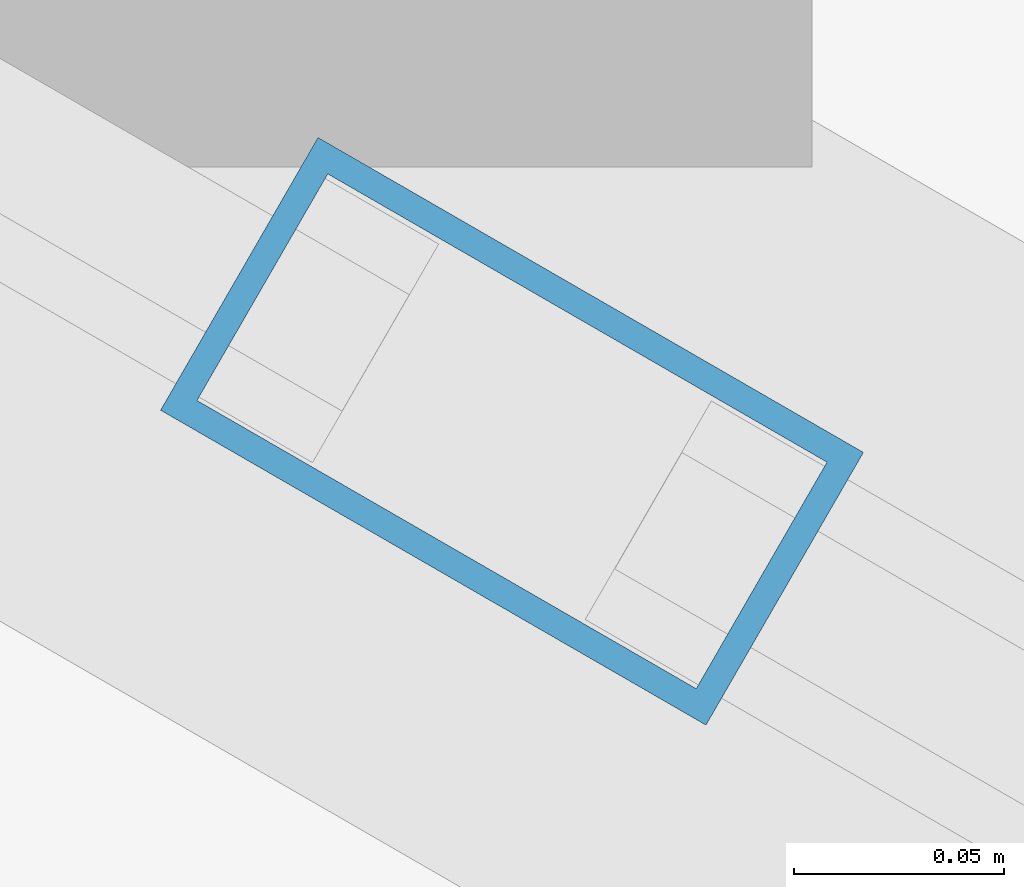
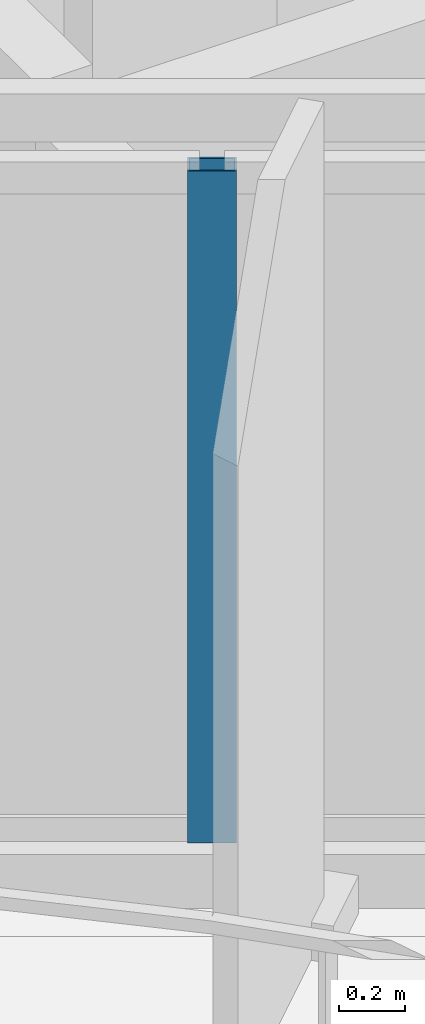
# One storey, part 2 of 18: 1 member, 1 element without a shape of its own.
"""IFC4 building model written with IfcOpenShell, lengths in metres."""

from ifc_helpers import new_model, si_unit, direction, frame, origin, origin_2d, place, context, subcontext, project, spatial, hollow_rectangle, extrude, material, layer, layer_set, material_profile, profile_set, type_object, element, aggregate, save


model = new_model("IFC4")

# Units and contexts
model_context = context("Model", 3, precision=1e-05, world=origin(), true_north=direction((0.0, 1.0)))
body_context = subcontext(model_context, "Body", "Model", "MODEL_VIEW")
ifc_project = project(units=[si_unit("LENGTHUNIT", "METRE"), si_unit("AREAUNIT", "SQUARE_METRE"), si_unit("VOLUMEUNIT", "CUBIC_METRE"), si_unit("PLANEANGLEUNIT", "RADIAN"), si_unit("MASSUNIT", "GRAM", prefix="KILO")], contexts=[model_context])

# Site, building, storey
site_placement = place(None, origin())
site = spatial("IfcSite", under=ifc_project, at=site_placement, CompositionType="ELEMENT")
building_placement = place(site_placement, origin())
building = spatial("IfcBuilding", under=site, at=building_placement, Name="Mersakhor Tower and Convention Hall", CompositionType="ELEMENT")
storey_placement = place(building_placement, frame((0.0, 0.0, 229.800048828125)))
storey = spatial("IfcBuildingStorey", under=building, at=storey_placement, Name="L64", CompositionType="ELEMENT", Elevation=229.800048828125)

# Curtain wall, member
ifc_material_1 = material(Name="Dark solar low-E aluminium curtain wall", Category="aluminium")
ifc_layer = layer(ifc_material_1, 0.179931640625)
ifc_layer_set = layer_set([ifc_layer], Name="Dark solar low-E aluminium curtain wall")
curtain_wall_type = type_object("IfcCurtainWallType", Name="CW-SYS-03", PredefinedType="USERDEFINED", material=ifc_layer_set)
curtain_wall_placement = place(storey_placement, origin())
curtain_wall = element("IfcCurtainWall", 1, at=curtain_wall_placement, inside=storey, type_object=curtain_wall_type, Name="L64 Dark-Glass Curtain Wall F3-B2", ObjectType="CURTAIN WALL", PredefinedType="USERDEFINED")
ifc_material_2 = material(Name="Anodised aluminium EN AW-6063 T6", Category="aluminium")
ifc_material_profile = material_profile(ifc_material_2, hollow_rectangle(XDim=0.074951171875, YDim=0.14990234375, WallThickness=0.00634765625, at=origin_2d()), Name="RHS 150x75x6.3")
ifc_profile_set = profile_set([ifc_material_profile], Name="Anodised aluminium EN AW-6063 T6")
member_type = type_object("IfcMemberType", Name="CWM-150x75", PredefinedType="MULLION", material=ifc_profile_set)
member_placement = place(storey_placement, frame((23.628662109375, 17.446533203125, 0.199951171875), z_axis=(0.0, 0.0, 1.0), x_axis=(-0.500004411169, -0.86602285698, 0.0)))
member = element("IfcMember", 2, at=member_placement, type_object=member_type, Name="CW-03 mullion 2", PredefinedType="MULLION", context=body_context, shape_type="SweptSolid", body=[
    extrude(hollow_rectangle(XDim=0.074951171875, YDim=0.14990234375, WallThickness=0.00634765625, at=origin_2d()), origin(), (0.0, 0.0, 1.0), 2.5),
])
aggregate(curtain_wall, [member])

save(model, "model.ifc")
